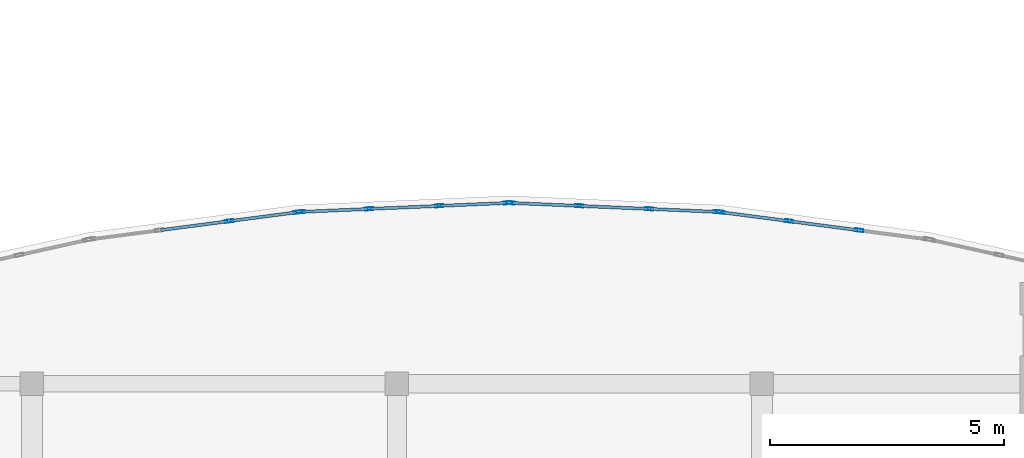
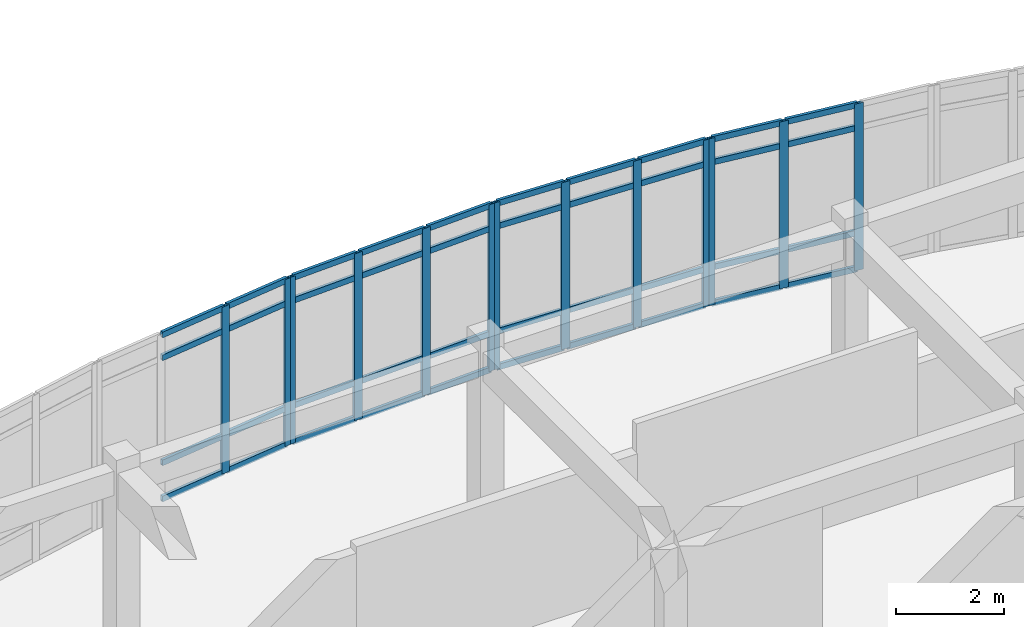
# One storey, part 38 of 91: 53 members, 4 elements without a shape of their own.
"""IFC4 building model written with IfcOpenShell, lengths in metres."""

from ifc_helpers import new_model, si_unit, direction, frame, origin, origin_2d, place, context, subcontext, project, spatial, hollow_rectangle, extrude, material, layer, layer_set, material_profile, profile_set, type_object, element, aggregate, save


model = new_model("IFC4")

# Units and contexts
model_context = context("Model", 3, precision=1e-05, world=origin(), true_north=direction((0.0, 1.0)))
body_context = subcontext(model_context, "Body", "Model", "MODEL_VIEW")
ifc_project = project(units=[si_unit("LENGTHUNIT", "METRE"), si_unit("AREAUNIT", "SQUARE_METRE"), si_unit("VOLUMEUNIT", "CUBIC_METRE"), si_unit("PLANEANGLEUNIT", "RADIAN"), si_unit("MASSUNIT", "GRAM", prefix="KILO")], contexts=[model_context])

# Site, building, storey
site_placement = place(None, origin())
site = spatial("IfcSite", under=ifc_project, at=site_placement, CompositionType="ELEMENT")
building_placement = place(site_placement, origin())
building = spatial("IfcBuilding", under=site, at=building_placement, Name="Valcora Specialist Clinic", CompositionType="ELEMENT")
storey_placement = place(building_placement, frame((0.0, 0.0, 13.60009765625)))
storey = spatial("IfcBuildingStorey", under=building, at=storey_placement, Name="L03", CompositionType="ELEMENT", Elevation=13.60009765625)

# Curtain wall, members
ifc_material = material(Name="Anodized Bronze Aluminium 6063-T6", Category="aluminium")
ifc_layer = layer(ifc_material, 0.175048828125)
ifc_layer_set = layer_set([ifc_layer], Name="Anodized Bronze Aluminium 6063-T6")
curtain_wall_type = type_object("IfcCurtainWallType", Name="TY-CW-ARC40", PredefinedType="NOTDEFINED", material=ifc_layer_set)
curtain_wall_1_placement = place(storey_placement, origin())
curtain_wall_1 = element("IfcCurtainWall", 1, at=curtain_wall_1_placement, inside=storey, type_object=curtain_wall_type, Name="Curtain wall CW-L03-212", PredefinedType="NOTDEFINED")
ifc_material_profile_1 = material_profile(ifc_material, hollow_rectangle(XDim=0.06494140625, YDim=0.175048828125, WallThickness=0.00390625, at=origin_2d()), Name="AL-MUL-65X175")
ifc_profile_set_1 = profile_set([ifc_material_profile_1], Name="Anodized Bronze Aluminium 6063-T6")
member_type_1 = type_object("IfcMemberType", Name="TY-CWM-65X175", PredefinedType="MULLION", material=ifc_profile_set_1)
member_1_placement = place(storey_placement, frame((81.017333984375, 25.474365234375, 0.0), z_axis=(0.0, 0.0, 1.0), x_axis=(-0.129999492259, 0.991514060421, 0.0)))
member_1 = element("IfcMember", 2, at=member_1_placement, type_object=member_type_1, Name="CW-ARC-40 mullion 3", PredefinedType="MULLION", context=body_context, shape_type="SweptSolid", body=[
    extrude(hollow_rectangle(XDim=0.06494140625, YDim=0.175048828125, WallThickness=0.00390625, at=origin_2d()), origin(), (0.0, 0.0, 1.0), 3.77978515625),
])
member_2_placement = place(storey_placement, frame((82.480712890625, 25.666259765625, 0.0), z_axis=(0.0, 0.0, 1.0), x_axis=(-0.129999492259, 0.991514060421, 0.0)))
member_2 = element("IfcMember", 3, at=member_2_placement, type_object=member_type_1, Name="CW-ARC-40 mullion 4", PredefinedType="MULLION", context=body_context, shape_type="SweptSolid", body=[
    extrude(hollow_rectangle(XDim=0.06494140625, YDim=0.175048828125, WallThickness=0.00390625, at=origin_2d()), origin(), (0.0, 0.0, 1.0), 3.77978515625),
])

curtain_wall_2_placement = place(storey_placement, origin())
curtain_wall_2 = element("IfcCurtainWall", 4, at=curtain_wall_2_placement, inside=storey, type_object=curtain_wall_type, Name="Curtain wall CW-L03-213", PredefinedType="NOTDEFINED")
member_3_placement = place(storey_placement, frame((82.54541015625, 25.671875, 0.0), z_axis=(0.0, 0.0, 1.0), x_axis=(-0.043306780525, 0.999061821291, 0.0)))
member_3 = element("IfcMember", 5, at=member_3_placement, type_object=member_type_1, Name="CW-ARC-40 mullion 1", PredefinedType="MULLION", context=body_context, shape_type="SweptSolid", body=[
    extrude(hollow_rectangle(XDim=0.06494140625, YDim=0.175048828125, WallThickness=0.00390625, at=origin_2d()), origin(), (0.0, 0.0, 1.0), 3.77978515625),
])
member_4_placement = place(storey_placement, frame((84.008544921875, 25.7353515625, 0.0), z_axis=(0.0, 0.0, 1.0), x_axis=(-0.043306780525, 0.999061821291, 0.0)))
member_4 = element("IfcMember", 6, at=member_4_placement, type_object=member_type_1, Name="CW-ARC-40 mullion 2", PredefinedType="MULLION", context=body_context, shape_type="SweptSolid", body=[
    extrude(hollow_rectangle(XDim=0.06494140625, YDim=0.175048828125, WallThickness=0.00390625, at=origin_2d()), origin(), (0.0, 0.0, 1.0), 3.77978515625),
])
member_5_placement = place(storey_placement, frame((85.50439453125, 25.800048828125, 0.0), z_axis=(0.0, 0.0, 1.0), x_axis=(-0.043306780525, 0.999061821291, 0.0)))
member_5 = element("IfcMember", 7, at=member_5_placement, type_object=member_type_1, Name="CW-ARC-40 mullion 3", PredefinedType="MULLION", context=body_context, shape_type="SweptSolid", body=[
    extrude(hollow_rectangle(XDim=0.06494140625, YDim=0.175048828125, WallThickness=0.00390625, at=origin_2d()), origin(), (0.0, 0.0, 1.0), 3.77978515625),
])
member_6_placement = place(storey_placement, frame((86.967529296875, 25.863525390625, 0.0), z_axis=(0.0, 0.0, 1.0), x_axis=(-0.043306780525, 0.999061821291, 0.0)))
member_6 = element("IfcMember", 8, at=member_6_placement, type_object=member_type_1, Name="CW-ARC-40 mullion 4", PredefinedType="MULLION", context=body_context, shape_type="SweptSolid", body=[
    extrude(hollow_rectangle(XDim=0.06494140625, YDim=0.175048828125, WallThickness=0.00390625, at=origin_2d()), origin(), (0.0, 0.0, 1.0), 3.77978515625),
])

curtain_wall_3_placement = place(storey_placement, origin())
curtain_wall_3 = element("IfcCurtainWall", 9, at=curtain_wall_3_placement, inside=storey, type_object=curtain_wall_type, Name="Curtain wall CW-L03-214", PredefinedType="NOTDEFINED")
member_7_placement = place(storey_placement, frame((87.032470703125, 25.863525390625, 0.0), z_axis=(0.0, 0.0, 1.0), x_axis=(0.043306780525, 0.999061821291, 0.0)))
member_7 = element("IfcMember", 10, at=member_7_placement, type_object=member_type_1, Name="CW-ARC-40 mullion 1", PredefinedType="MULLION", context=body_context, shape_type="SweptSolid", body=[
    extrude(hollow_rectangle(XDim=0.06494140625, YDim=0.175048828125, WallThickness=0.00390625, at=origin_2d()), origin(), (0.0, 0.0, 1.0), 3.77978515625),
])
member_8_placement = place(storey_placement, frame((88.49560546875, 25.800048828125, 0.0), z_axis=(0.0, 0.0, 1.0), x_axis=(0.043306780525, 0.999061821291, 0.0)))
member_8 = element("IfcMember", 11, at=member_8_placement, type_object=member_type_1, Name="CW-ARC-40 mullion 2", PredefinedType="MULLION", context=body_context, shape_type="SweptSolid", body=[
    extrude(hollow_rectangle(XDim=0.06494140625, YDim=0.175048828125, WallThickness=0.00390625, at=origin_2d()), origin(), (0.0, 0.0, 1.0), 3.77978515625),
])
member_9_placement = place(storey_placement, frame((89.991455078125, 25.7353515625, 0.0), z_axis=(0.0, 0.0, 1.0), x_axis=(0.043306780525, 0.999061821291, 0.0)))
member_9 = element("IfcMember", 12, at=member_9_placement, type_object=member_type_1, Name="CW-ARC-40 mullion 3", PredefinedType="MULLION", context=body_context, shape_type="SweptSolid", body=[
    extrude(hollow_rectangle(XDim=0.06494140625, YDim=0.175048828125, WallThickness=0.00390625, at=origin_2d()), origin(), (0.0, 0.0, 1.0), 3.77978515625),
])
member_10_placement = place(storey_placement, frame((91.45458984375, 25.671875, 0.0), z_axis=(0.0, 0.0, 1.0), x_axis=(0.043306780525, 0.999061821291, 0.0)))
member_10 = element("IfcMember", 13, at=member_10_placement, type_object=member_type_1, Name="CW-ARC-40 mullion 4", PredefinedType="MULLION", context=body_context, shape_type="SweptSolid", body=[
    extrude(hollow_rectangle(XDim=0.06494140625, YDim=0.175048828125, WallThickness=0.00390625, at=origin_2d()), origin(), (0.0, 0.0, 1.0), 3.77978515625),
])

curtain_wall_4_placement = place(storey_placement, origin())
curtain_wall_4 = element("IfcCurtainWall", 14, at=curtain_wall_4_placement, inside=storey, type_object=curtain_wall_type, Name="Curtain wall CW-L03-215", PredefinedType="NOTDEFINED")
member_11_placement = place(storey_placement, frame((91.519287109375, 25.666259765625, 0.0), z_axis=(0.0, 0.0, 1.0), x_axis=(0.129999492259, 0.991514060421, 0.0)))
member_11 = element("IfcMember", 15, at=member_11_placement, type_object=member_type_1, Name="CW-ARC-40 mullion 1", PredefinedType="MULLION", context=body_context, shape_type="SweptSolid", body=[
    extrude(hollow_rectangle(XDim=0.06494140625, YDim=0.175048828125, WallThickness=0.00390625, at=origin_2d()), origin(), (0.0, 0.0, 1.0), 3.77978515625),
])
member_12_placement = place(storey_placement, frame((92.982666015625, 25.474365234375, 0.0), z_axis=(0.0, 0.0, 1.0), x_axis=(0.129999492259, 0.991514060421, 0.0)))
member_12 = element("IfcMember", 16, at=member_12_placement, type_object=member_type_1, Name="CW-ARC-40 mullion 2", PredefinedType="MULLION", context=body_context, shape_type="SweptSolid", body=[
    extrude(hollow_rectangle(XDim=0.06494140625, YDim=0.175048828125, WallThickness=0.00390625, at=origin_2d()), origin(), (0.0, 0.0, 1.0), 3.77978515625),
])
member_13_placement = place(storey_placement, frame((94.478271484375, 25.2783203125, 0.0), z_axis=(0.0, 0.0, 1.0), x_axis=(0.129999492259, 0.991514060421, 0.0)))
member_13 = element("IfcMember", 17, at=member_13_placement, type_object=member_type_1, Name="CW-ARC-40 mullion 3", PredefinedType="MULLION", context=body_context, shape_type="SweptSolid", body=[
    extrude(hollow_rectangle(XDim=0.06494140625, YDim=0.175048828125, WallThickness=0.00390625, at=origin_2d()), origin(), (0.0, 0.0, 1.0), 3.77978515625),
])

# Member
ifc_material_profile_2 = material_profile(ifc_material, hollow_rectangle(XDim=0.06494140625, YDim=0.1298828125, WallThickness=0.00390625, at=origin_2d()), Name="AL-TRN-65X130")
ifc_profile_set_2 = profile_set([ifc_material_profile_2], Name="Anodized Bronze Aluminium 6063-T6")
member_type_2 = type_object("IfcMemberType", Name="TY-CWT-65X130", PredefinedType="USERDEFINED", material=ifc_profile_set_2)
member_14_placement = place(storey_placement, frame((79.553955078125, 25.282470703125, 0.032470703125), z_axis=(0.99152668223, 0.129903188665, 0.0), x_axis=(-0.129903188665, 0.99152668223, 0.0)))
member_14 = element("IfcMember", 18, at=member_14_placement, type_object=member_type_2, Name="CW-ARC-40 transom 2.1", ObjectType="TRANSOM", PredefinedType="USERDEFINED", context=body_context, shape_type="SweptSolid", body=[
    extrude(hollow_rectangle(XDim=0.06494140625, YDim=0.1298828125, WallThickness=0.00390625, at=origin_2d()), origin(), (0.0, 0.0, 1.0), 1.443359375),
])

member_15_placement = place(storey_placement, frame((79.553955078125, 25.282470703125, 0.849853515625), z_axis=(0.99152668223, 0.129903188665, 0.0), x_axis=(-0.129903188665, 0.99152668223, 0.0)))
member_15 = element("IfcMember", 19, at=member_15_placement, type_object=member_type_2, Name="CW-ARC-40 transom 2.2", ObjectType="TRANSOM", PredefinedType="USERDEFINED", context=body_context, shape_type="SweptSolid", body=[
    extrude(hollow_rectangle(XDim=0.06494140625, YDim=0.1298828125, WallThickness=0.00390625, at=origin_2d()), origin(), (0.0, 0.0, 1.0), 1.443359375),
])

member_16_placement = place(storey_placement, frame((79.553955078125, 25.282470703125, 3.22998046875), z_axis=(0.99152668223, 0.129903188665, 0.0), x_axis=(-0.129903188665, 0.99152668223, 0.0)))
member_16 = element("IfcMember", 20, at=member_16_placement, type_object=member_type_2, Name="CW-ARC-40 transom 2.3", ObjectType="TRANSOM", PredefinedType="USERDEFINED", context=body_context, shape_type="SweptSolid", body=[
    extrude(hollow_rectangle(XDim=0.06494140625, YDim=0.1298828125, WallThickness=0.00390625, at=origin_2d()), origin(), (0.0, 0.0, 1.0), 1.443359375),
])

member_17_placement = place(storey_placement, frame((79.553955078125, 25.282470703125, 3.747314453125), z_axis=(0.99152668223, 0.129903188665, 0.0), x_axis=(-0.129903188665, 0.99152668223, 0.0)))
member_17 = element("IfcMember", 21, at=member_17_placement, type_object=member_type_2, Name="CW-ARC-40 transom 2.4", ObjectType="TRANSOM", PredefinedType="USERDEFINED", context=body_context, shape_type="SweptSolid", body=[
    extrude(hollow_rectangle(XDim=0.06494140625, YDim=0.1298828125, WallThickness=0.00390625, at=origin_2d()), origin(), (0.0, 0.0, 1.0), 1.443359375),
])

member_18_placement = place(storey_placement, frame((81.049560546875, 25.478515625, 0.032470703125), z_axis=(0.991520133728, 0.129953162379, 0.0), x_axis=(-0.129953162379, 0.991520133728, 0.0)))
member_18 = element("IfcMember", 22, at=member_18_placement, type_object=member_type_2, Name="CW-ARC-40 transom 3.1", ObjectType="TRANSOM", PredefinedType="USERDEFINED", context=body_context, shape_type="SweptSolid", body=[
    extrude(hollow_rectangle(XDim=0.06494140625, YDim=0.1298828125, WallThickness=0.00390625, at=origin_2d()), origin(), (0.0, 0.0, 1.0), 1.410888671875),
])

member_19_placement = place(storey_placement, frame((81.049560546875, 25.478515625, 0.849853515625), z_axis=(0.991520133728, 0.129953162379, 0.0), x_axis=(-0.129953162379, 0.991520133728, 0.0)))
member_19 = element("IfcMember", 23, at=member_19_placement, type_object=member_type_2, Name="CW-ARC-40 transom 3.2", ObjectType="TRANSOM", PredefinedType="USERDEFINED", context=body_context, shape_type="SweptSolid", body=[
    extrude(hollow_rectangle(XDim=0.06494140625, YDim=0.1298828125, WallThickness=0.00390625, at=origin_2d()), origin(), (0.0, 0.0, 1.0), 1.410888671875),
])

member_20_placement = place(storey_placement, frame((81.049560546875, 25.478515625, 3.22998046875), z_axis=(0.991520133728, 0.129953162379, 0.0), x_axis=(-0.129953162379, 0.991520133728, 0.0)))
member_20 = element("IfcMember", 24, at=member_20_placement, type_object=member_type_2, Name="CW-ARC-40 transom 3.3", ObjectType="TRANSOM", PredefinedType="USERDEFINED", context=body_context, shape_type="SweptSolid", body=[
    extrude(hollow_rectangle(XDim=0.06494140625, YDim=0.1298828125, WallThickness=0.00390625, at=origin_2d()), origin(), (0.0, 0.0, 1.0), 1.410888671875),
])

member_21_placement = place(storey_placement, frame((81.049560546875, 25.478515625, 3.747314453125), z_axis=(0.991520133728, 0.129953162379, 0.0), x_axis=(-0.129953162379, 0.991520133728, 0.0)))
member_21 = element("IfcMember", 25, at=member_21_placement, type_object=member_type_2, Name="CW-ARC-40 transom 3.4", ObjectType="TRANSOM", PredefinedType="USERDEFINED", context=body_context, shape_type="SweptSolid", body=[
    extrude(hollow_rectangle(XDim=0.06494140625, YDim=0.1298828125, WallThickness=0.00390625, at=origin_2d()), origin(), (0.0, 0.0, 1.0), 1.410888671875),
])

aggregate(curtain_wall_1, [member_1, member_2, member_14, member_15, member_16, member_17, member_18, member_19, member_20, member_21])

member_22_placement = place(storey_placement, frame((82.577880859375, 25.673095703125, 0.032470703125), z_axis=(0.999056487414, 0.043429655266, 0.0), x_axis=(-0.043429655266, 0.999056487414, 0.0)))
member_22 = element("IfcMember", 26, at=member_22_placement, type_object=member_type_2, Name="CW-ARC-40 transom 1.1", ObjectType="TRANSOM", PredefinedType="USERDEFINED", context=body_context, shape_type="SweptSolid", body=[
    extrude(hollow_rectangle(XDim=0.06494140625, YDim=0.1298828125, WallThickness=0.00390625, at=origin_2d()), origin(), (0.0, 0.0, 1.0), 1.399658203125),
])

member_23_placement = place(storey_placement, frame((82.577880859375, 25.673095703125, 0.849853515625), z_axis=(0.999056487414, 0.043429655266, 0.0), x_axis=(-0.043429655266, 0.999056487414, 0.0)))
member_23 = element("IfcMember", 27, at=member_23_placement, type_object=member_type_2, Name="CW-ARC-40 transom 1.2", ObjectType="TRANSOM", PredefinedType="USERDEFINED", context=body_context, shape_type="SweptSolid", body=[
    extrude(hollow_rectangle(XDim=0.06494140625, YDim=0.1298828125, WallThickness=0.00390625, at=origin_2d()), origin(), (0.0, 0.0, 1.0), 1.399658203125),
])

member_24_placement = place(storey_placement, frame((82.577880859375, 25.673095703125, 3.22998046875), z_axis=(0.999056487414, 0.043429655266, 0.0), x_axis=(-0.043429655266, 0.999056487414, 0.0)))
member_24 = element("IfcMember", 28, at=member_24_placement, type_object=member_type_2, Name="CW-ARC-40 transom 1.3", ObjectType="TRANSOM", PredefinedType="USERDEFINED", context=body_context, shape_type="SweptSolid", body=[
    extrude(hollow_rectangle(XDim=0.06494140625, YDim=0.1298828125, WallThickness=0.00390625, at=origin_2d()), origin(), (0.0, 0.0, 1.0), 1.399658203125),
])

member_25_placement = place(storey_placement, frame((82.577880859375, 25.673095703125, 3.747314453125), z_axis=(0.999056487414, 0.043429655266, 0.0), x_axis=(-0.043429655266, 0.999056487414, 0.0)))
member_25 = element("IfcMember", 29, at=member_25_placement, type_object=member_type_2, Name="CW-ARC-40 transom 1.4", ObjectType="TRANSOM", PredefinedType="USERDEFINED", context=body_context, shape_type="SweptSolid", body=[
    extrude(hollow_rectangle(XDim=0.06494140625, YDim=0.1298828125, WallThickness=0.00390625, at=origin_2d()), origin(), (0.0, 0.0, 1.0), 1.399658203125),
])

member_26_placement = place(storey_placement, frame((84.041015625, 25.736572265625, 0.032470703125), z_axis=(0.999062259276, 0.043296675287, 0.0), x_axis=(-0.043296675287, 0.999062259276, 0.0)))
member_26 = element("IfcMember", 30, at=member_26_placement, type_object=member_type_2, Name="CW-ARC-40 transom 2.1", ObjectType="TRANSOM", PredefinedType="USERDEFINED", context=body_context, shape_type="SweptSolid", body=[
    extrude(hollow_rectangle(XDim=0.06494140625, YDim=0.1298828125, WallThickness=0.00390625, at=origin_2d()), origin(), (0.0, 0.0, 1.0), 1.432373046875),
])

member_27_placement = place(storey_placement, frame((84.041015625, 25.736572265625, 0.849853515625), z_axis=(0.999062259276, 0.043296675287, 0.0), x_axis=(-0.043296675287, 0.999062259276, 0.0)))
member_27 = element("IfcMember", 31, at=member_27_placement, type_object=member_type_2, Name="CW-ARC-40 transom 2.2", ObjectType="TRANSOM", PredefinedType="USERDEFINED", context=body_context, shape_type="SweptSolid", body=[
    extrude(hollow_rectangle(XDim=0.06494140625, YDim=0.1298828125, WallThickness=0.00390625, at=origin_2d()), origin(), (0.0, 0.0, 1.0), 1.432373046875),
])

member_28_placement = place(storey_placement, frame((84.041015625, 25.736572265625, 3.22998046875), z_axis=(0.999062259276, 0.043296675287, 0.0), x_axis=(-0.043296675287, 0.999062259276, 0.0)))
member_28 = element("IfcMember", 32, at=member_28_placement, type_object=member_type_2, Name="CW-ARC-40 transom 2.3", ObjectType="TRANSOM", PredefinedType="USERDEFINED", context=body_context, shape_type="SweptSolid", body=[
    extrude(hollow_rectangle(XDim=0.06494140625, YDim=0.1298828125, WallThickness=0.00390625, at=origin_2d()), origin(), (0.0, 0.0, 1.0), 1.432373046875),
])

member_29_placement = place(storey_placement, frame((84.041015625, 25.736572265625, 3.747314453125), z_axis=(0.999062259276, 0.043296675287, 0.0), x_axis=(-0.043296675287, 0.999062259276, 0.0)))
member_29 = element("IfcMember", 33, at=member_29_placement, type_object=member_type_2, Name="CW-ARC-40 transom 2.4", ObjectType="TRANSOM", PredefinedType="USERDEFINED", context=body_context, shape_type="SweptSolid", body=[
    extrude(hollow_rectangle(XDim=0.06494140625, YDim=0.1298828125, WallThickness=0.00390625, at=origin_2d()), origin(), (0.0, 0.0, 1.0), 1.432373046875),
])

member_30_placement = place(storey_placement, frame((85.536865234375, 25.801513671875, 0.032470703125), z_axis=(0.999063713567, 0.043263104761, 0.0), x_axis=(-0.043263104761, 0.999063713567, 0.0)))
member_30 = element("IfcMember", 34, at=member_30_placement, type_object=member_type_2, Name="CW-ARC-40 transom 3.1", ObjectType="TRANSOM", PredefinedType="USERDEFINED", context=body_context, shape_type="SweptSolid", body=[
    extrude(hollow_rectangle(XDim=0.06494140625, YDim=0.1298828125, WallThickness=0.00390625, at=origin_2d()), origin(), (0.0, 0.0, 1.0), 1.3994140625),
])

member_31_placement = place(storey_placement, frame((85.536865234375, 25.801513671875, 0.849853515625), z_axis=(0.999063713567, 0.043263104761, 0.0), x_axis=(-0.043263104761, 0.999063713567, 0.0)))
member_31 = element("IfcMember", 35, at=member_31_placement, type_object=member_type_2, Name="CW-ARC-40 transom 3.2", ObjectType="TRANSOM", PredefinedType="USERDEFINED", context=body_context, shape_type="SweptSolid", body=[
    extrude(hollow_rectangle(XDim=0.06494140625, YDim=0.1298828125, WallThickness=0.00390625, at=origin_2d()), origin(), (0.0, 0.0, 1.0), 1.3994140625),
])

member_32_placement = place(storey_placement, frame((85.536865234375, 25.801513671875, 3.22998046875), z_axis=(0.999063713567, 0.043263104761, 0.0), x_axis=(-0.043263104761, 0.999063713567, 0.0)))
member_32 = element("IfcMember", 36, at=member_32_placement, type_object=member_type_2, Name="CW-ARC-40 transom 3.3", ObjectType="TRANSOM", PredefinedType="USERDEFINED", context=body_context, shape_type="SweptSolid", body=[
    extrude(hollow_rectangle(XDim=0.06494140625, YDim=0.1298828125, WallThickness=0.00390625, at=origin_2d()), origin(), (0.0, 0.0, 1.0), 1.3994140625),
])

member_33_placement = place(storey_placement, frame((85.536865234375, 25.801513671875, 3.747314453125), z_axis=(0.999063713567, 0.043263104761, 0.0), x_axis=(-0.043263104761, 0.999063713567, 0.0)))
member_33 = element("IfcMember", 37, at=member_33_placement, type_object=member_type_2, Name="CW-ARC-40 transom 3.4", ObjectType="TRANSOM", PredefinedType="USERDEFINED", context=body_context, shape_type="SweptSolid", body=[
    extrude(hollow_rectangle(XDim=0.06494140625, YDim=0.1298828125, WallThickness=0.00390625, at=origin_2d()), origin(), (0.0, 0.0, 1.0), 1.3994140625),
])

aggregate(curtain_wall_2, [member_3, member_4, member_5, member_6, member_22, member_23, member_24, member_25, member_26, member_27, member_28, member_29, member_30, member_31, member_32, member_33])

member_34_placement = place(storey_placement, frame((87.06494140625, 25.862060546875, 0.032470703125), z_axis=(0.999063713567, -0.043263104761, 0.0), x_axis=(0.043263104761, 0.999063713567, 0.0)))
member_34 = element("IfcMember", 38, at=member_34_placement, type_object=member_type_2, Name="CW-ARC-40 transom 1.1", ObjectType="TRANSOM", PredefinedType="USERDEFINED", context=body_context, shape_type="SweptSolid", body=[
    extrude(hollow_rectangle(XDim=0.06494140625, YDim=0.1298828125, WallThickness=0.00390625, at=origin_2d()), origin(), (0.0, 0.0, 1.0), 1.3994140625),
])

member_35_placement = place(storey_placement, frame((87.06494140625, 25.862060546875, 0.849853515625), z_axis=(0.999063713567, -0.043263104761, 0.0), x_axis=(0.043263104761, 0.999063713567, 0.0)))
member_35 = element("IfcMember", 39, at=member_35_placement, type_object=member_type_2, Name="CW-ARC-40 transom 1.2", ObjectType="TRANSOM", PredefinedType="USERDEFINED", context=body_context, shape_type="SweptSolid", body=[
    extrude(hollow_rectangle(XDim=0.06494140625, YDim=0.1298828125, WallThickness=0.00390625, at=origin_2d()), origin(), (0.0, 0.0, 1.0), 1.3994140625),
])

member_36_placement = place(storey_placement, frame((87.06494140625, 25.862060546875, 3.22998046875), z_axis=(0.999063713567, -0.043263104761, 0.0), x_axis=(0.043263104761, 0.999063713567, 0.0)))
member_36 = element("IfcMember", 40, at=member_36_placement, type_object=member_type_2, Name="CW-ARC-40 transom 1.3", ObjectType="TRANSOM", PredefinedType="USERDEFINED", context=body_context, shape_type="SweptSolid", body=[
    extrude(hollow_rectangle(XDim=0.06494140625, YDim=0.1298828125, WallThickness=0.00390625, at=origin_2d()), origin(), (0.0, 0.0, 1.0), 1.3994140625),
])

member_37_placement = place(storey_placement, frame((87.06494140625, 25.862060546875, 3.747314453125), z_axis=(0.999063713567, -0.043263104761, 0.0), x_axis=(0.043263104761, 0.999063713567, 0.0)))
member_37 = element("IfcMember", 41, at=member_37_placement, type_object=member_type_2, Name="CW-ARC-40 transom 1.4", ObjectType="TRANSOM", PredefinedType="USERDEFINED", context=body_context, shape_type="SweptSolid", body=[
    extrude(hollow_rectangle(XDim=0.06494140625, YDim=0.1298828125, WallThickness=0.00390625, at=origin_2d()), origin(), (0.0, 0.0, 1.0), 1.3994140625),
])

member_38_placement = place(storey_placement, frame((88.528076171875, 25.798583984375, 0.032470703125), z_axis=(0.999062259276, -0.043296675287, 0.0), x_axis=(0.043296675287, 0.999062259276, 0.0)))
member_38 = element("IfcMember", 42, at=member_38_placement, type_object=member_type_2, Name="CW-ARC-40 transom 2.1", ObjectType="TRANSOM", PredefinedType="USERDEFINED", context=body_context, shape_type="SweptSolid", body=[
    extrude(hollow_rectangle(XDim=0.06494140625, YDim=0.1298828125, WallThickness=0.00390625, at=origin_2d()), origin(), (0.0, 0.0, 1.0), 1.432373046875),
])

member_39_placement = place(storey_placement, frame((88.528076171875, 25.798583984375, 0.849853515625), z_axis=(0.999062259276, -0.043296675287, 0.0), x_axis=(0.043296675287, 0.999062259276, 0.0)))
member_39 = element("IfcMember", 43, at=member_39_placement, type_object=member_type_2, Name="CW-ARC-40 transom 2.2", ObjectType="TRANSOM", PredefinedType="USERDEFINED", context=body_context, shape_type="SweptSolid", body=[
    extrude(hollow_rectangle(XDim=0.06494140625, YDim=0.1298828125, WallThickness=0.00390625, at=origin_2d()), origin(), (0.0, 0.0, 1.0), 1.432373046875),
])

member_40_placement = place(storey_placement, frame((88.528076171875, 25.798583984375, 3.22998046875), z_axis=(0.999062259276, -0.043296675287, 0.0), x_axis=(0.043296675287, 0.999062259276, 0.0)))
member_40 = element("IfcMember", 44, at=member_40_placement, type_object=member_type_2, Name="CW-ARC-40 transom 2.3", ObjectType="TRANSOM", PredefinedType="USERDEFINED", context=body_context, shape_type="SweptSolid", body=[
    extrude(hollow_rectangle(XDim=0.06494140625, YDim=0.1298828125, WallThickness=0.00390625, at=origin_2d()), origin(), (0.0, 0.0, 1.0), 1.432373046875),
])

member_41_placement = place(storey_placement, frame((88.528076171875, 25.798583984375, 3.747314453125), z_axis=(0.999062259276, -0.043296675287, 0.0), x_axis=(0.043296675287, 0.999062259276, 0.0)))
member_41 = element("IfcMember", 45, at=member_41_placement, type_object=member_type_2, Name="CW-ARC-40 transom 2.4", ObjectType="TRANSOM", PredefinedType="USERDEFINED", context=body_context, shape_type="SweptSolid", body=[
    extrude(hollow_rectangle(XDim=0.06494140625, YDim=0.1298828125, WallThickness=0.00390625, at=origin_2d()), origin(), (0.0, 0.0, 1.0), 1.432373046875),
])

member_42_placement = place(storey_placement, frame((90.023681640625, 25.73388671875, 0.032470703125), z_axis=(0.999056487414, -0.043429655266, 0.0), x_axis=(0.043429655266, 0.999056487414, 0.0)))
member_42 = element("IfcMember", 46, at=member_42_placement, type_object=member_type_2, Name="CW-ARC-40 transom 3.1", ObjectType="TRANSOM", PredefinedType="USERDEFINED", context=body_context, shape_type="SweptSolid", body=[
    extrude(hollow_rectangle(XDim=0.06494140625, YDim=0.1298828125, WallThickness=0.00390625, at=origin_2d()), origin(), (0.0, 0.0, 1.0), 1.399658203125),
])

member_43_placement = place(storey_placement, frame((90.023681640625, 25.73388671875, 0.849853515625), z_axis=(0.999056487414, -0.043429655266, 0.0), x_axis=(0.043429655266, 0.999056487414, 0.0)))
member_43 = element("IfcMember", 47, at=member_43_placement, type_object=member_type_2, Name="CW-ARC-40 transom 3.2", ObjectType="TRANSOM", PredefinedType="USERDEFINED", context=body_context, shape_type="SweptSolid", body=[
    extrude(hollow_rectangle(XDim=0.06494140625, YDim=0.1298828125, WallThickness=0.00390625, at=origin_2d()), origin(), (0.0, 0.0, 1.0), 1.399658203125),
])

member_44_placement = place(storey_placement, frame((90.023681640625, 25.73388671875, 3.22998046875), z_axis=(0.999056487414, -0.043429655266, 0.0), x_axis=(0.043429655266, 0.999056487414, 0.0)))
member_44 = element("IfcMember", 48, at=member_44_placement, type_object=member_type_2, Name="CW-ARC-40 transom 3.3", ObjectType="TRANSOM", PredefinedType="USERDEFINED", context=body_context, shape_type="SweptSolid", body=[
    extrude(hollow_rectangle(XDim=0.06494140625, YDim=0.1298828125, WallThickness=0.00390625, at=origin_2d()), origin(), (0.0, 0.0, 1.0), 1.399658203125),
])

member_45_placement = place(storey_placement, frame((90.023681640625, 25.73388671875, 3.747314453125), z_axis=(0.999056487414, -0.043429655266, 0.0), x_axis=(0.043429655266, 0.999056487414, 0.0)))
member_45 = element("IfcMember", 49, at=member_45_placement, type_object=member_type_2, Name="CW-ARC-40 transom 3.4", ObjectType="TRANSOM", PredefinedType="USERDEFINED", context=body_context, shape_type="SweptSolid", body=[
    extrude(hollow_rectangle(XDim=0.06494140625, YDim=0.1298828125, WallThickness=0.00390625, at=origin_2d()), origin(), (0.0, 0.0, 1.0), 1.399658203125),
])

aggregate(curtain_wall_3, [member_7, member_8, member_9, member_10, member_34, member_35, member_36, member_37, member_38, member_39, member_40, member_41, member_42, member_43, member_44, member_45])

member_46_placement = place(storey_placement, frame((91.551513671875, 25.661865234375, 0.032470703125), z_axis=(0.991520133728, -0.129953162379, 0.0), x_axis=(0.129953162379, 0.991520133728, 0.0)))
member_46 = element("IfcMember", 50, at=member_46_placement, type_object=member_type_2, Name="CW-ARC-40 transom 1.1", ObjectType="TRANSOM", PredefinedType="USERDEFINED", context=body_context, shape_type="SweptSolid", body=[
    extrude(hollow_rectangle(XDim=0.06494140625, YDim=0.1298828125, WallThickness=0.00390625, at=origin_2d()), origin(), (0.0, 0.0, 1.0), 1.410888671875),
])

member_47_placement = place(storey_placement, frame((91.551513671875, 25.661865234375, 0.849853515625), z_axis=(0.991520133728, -0.129953162379, 0.0), x_axis=(0.129953162379, 0.991520133728, 0.0)))
member_47 = element("IfcMember", 51, at=member_47_placement, type_object=member_type_2, Name="CW-ARC-40 transom 1.2", ObjectType="TRANSOM", PredefinedType="USERDEFINED", context=body_context, shape_type="SweptSolid", body=[
    extrude(hollow_rectangle(XDim=0.06494140625, YDim=0.1298828125, WallThickness=0.00390625, at=origin_2d()), origin(), (0.0, 0.0, 1.0), 1.410888671875),
])

member_48_placement = place(storey_placement, frame((91.551513671875, 25.661865234375, 3.22998046875), z_axis=(0.991520133728, -0.129953162379, 0.0), x_axis=(0.129953162379, 0.991520133728, 0.0)))
member_48 = element("IfcMember", 52, at=member_48_placement, type_object=member_type_2, Name="CW-ARC-40 transom 1.3", ObjectType="TRANSOM", PredefinedType="USERDEFINED", context=body_context, shape_type="SweptSolid", body=[
    extrude(hollow_rectangle(XDim=0.06494140625, YDim=0.1298828125, WallThickness=0.00390625, at=origin_2d()), origin(), (0.0, 0.0, 1.0), 1.410888671875),
])

member_49_placement = place(storey_placement, frame((91.551513671875, 25.661865234375, 3.747314453125), z_axis=(0.991520133728, -0.129953162379, 0.0), x_axis=(0.129953162379, 0.991520133728, 0.0)))
member_49 = element("IfcMember", 53, at=member_49_placement, type_object=member_type_2, Name="CW-ARC-40 transom 1.4", ObjectType="TRANSOM", PredefinedType="USERDEFINED", context=body_context, shape_type="SweptSolid", body=[
    extrude(hollow_rectangle(XDim=0.06494140625, YDim=0.1298828125, WallThickness=0.00390625, at=origin_2d()), origin(), (0.0, 0.0, 1.0), 1.410888671875),
])

member_50_placement = place(storey_placement, frame((93.014892578125, 25.469970703125, 0.032470703125), z_axis=(0.99152668223, -0.129903188665, 0.0), x_axis=(0.129903188665, 0.99152668223, 0.0)))
member_50 = element("IfcMember", 54, at=member_50_placement, type_object=member_type_2, Name="CW-ARC-40 transom 2.1", ObjectType="TRANSOM", PredefinedType="USERDEFINED", context=body_context, shape_type="SweptSolid", body=[
    extrude(hollow_rectangle(XDim=0.06494140625, YDim=0.1298828125, WallThickness=0.00390625, at=origin_2d()), origin(), (0.0, 0.0, 1.0), 1.443359375),
])

member_51_placement = place(storey_placement, frame((93.014892578125, 25.469970703125, 0.849853515625), z_axis=(0.99152668223, -0.129903188665, 0.0), x_axis=(0.129903188665, 0.99152668223, 0.0)))
member_51 = element("IfcMember", 55, at=member_51_placement, type_object=member_type_2, Name="CW-ARC-40 transom 2.2", ObjectType="TRANSOM", PredefinedType="USERDEFINED", context=body_context, shape_type="SweptSolid", body=[
    extrude(hollow_rectangle(XDim=0.06494140625, YDim=0.1298828125, WallThickness=0.00390625, at=origin_2d()), origin(), (0.0, 0.0, 1.0), 1.443359375),
])

member_52_placement = place(storey_placement, frame((93.014892578125, 25.469970703125, 3.22998046875), z_axis=(0.99152668223, -0.129903188665, 0.0), x_axis=(0.129903188665, 0.99152668223, 0.0)))
member_52 = element("IfcMember", 56, at=member_52_placement, type_object=member_type_2, Name="CW-ARC-40 transom 2.3", ObjectType="TRANSOM", PredefinedType="USERDEFINED", context=body_context, shape_type="SweptSolid", body=[
    extrude(hollow_rectangle(XDim=0.06494140625, YDim=0.1298828125, WallThickness=0.00390625, at=origin_2d()), origin(), (0.0, 0.0, 1.0), 1.443359375),
])

member_53_placement = place(storey_placement, frame((93.014892578125, 25.469970703125, 3.747314453125), z_axis=(0.99152668223, -0.129903188665, 0.0), x_axis=(0.129903188665, 0.99152668223, 0.0)))
member_53 = element("IfcMember", 57, at=member_53_placement, type_object=member_type_2, Name="CW-ARC-40 transom 2.4", ObjectType="TRANSOM", PredefinedType="USERDEFINED", context=body_context, shape_type="SweptSolid", body=[
    extrude(hollow_rectangle(XDim=0.06494140625, YDim=0.1298828125, WallThickness=0.00390625, at=origin_2d()), origin(), (0.0, 0.0, 1.0), 1.443359375),
])

aggregate(curtain_wall_4, [member_11, member_12, member_13, member_46, member_47, member_48, member_49, member_50, member_51, member_52, member_53])

save(model, "model.ifc")
